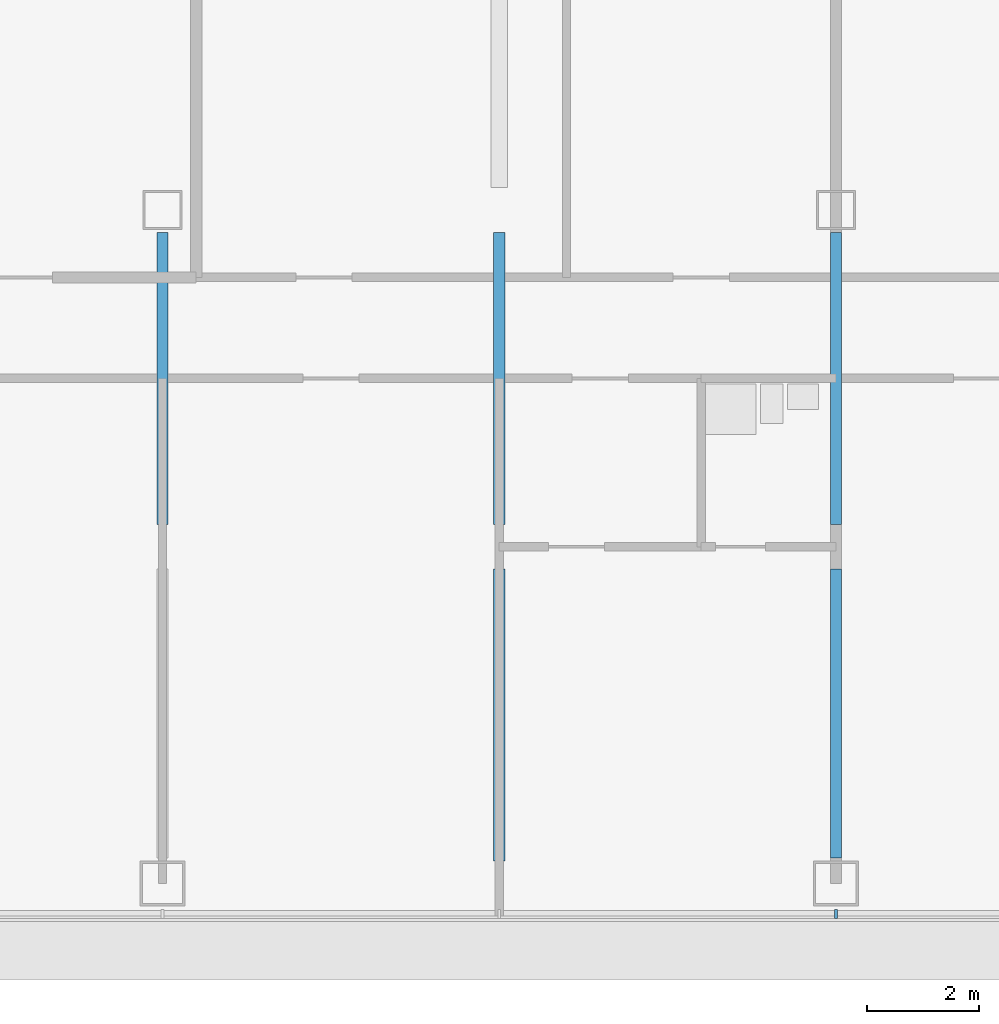
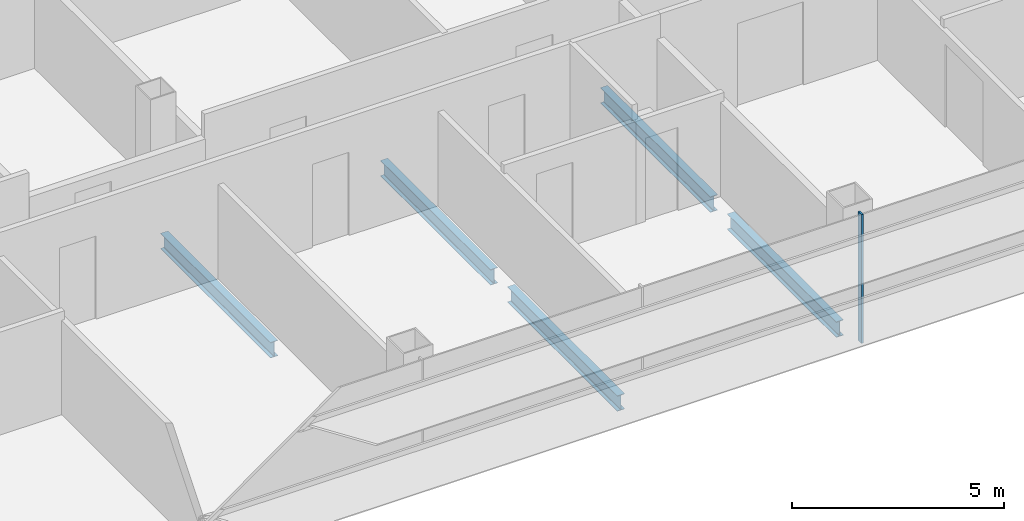
# One storey, part 3 of 28: 5 beams, 1 member, 1 element without a shape of its own.
"""IFC4 building model written with IfcOpenShell, lengths in metres."""

from ifc_helpers import new_model, si_unit, direction, frame, origin, origin_2d, place, context, subcontext, project, spatial, rectangle, i_section, extrude, material, material_profile, profile_set, type_object, element, aggregate, save


model = new_model("IFC4")

# Units and contexts
model_context = context("Model", 3, precision=1e-05, world=origin(), true_north=direction((0.0, 1.0)))
body_context = subcontext(model_context, "Body", "Model", "MODEL_VIEW")
ifc_project = project(units=[si_unit("LENGTHUNIT", "METRE"), si_unit("AREAUNIT", "SQUARE_METRE"), si_unit("VOLUMEUNIT", "CUBIC_METRE"), si_unit("PLANEANGLEUNIT", "RADIAN"), si_unit("MASSUNIT", "GRAM", prefix="KILO")], contexts=[model_context])

# Site, building, storey
site_placement = place(None, origin())
site = spatial("IfcSite", under=ifc_project, at=site_placement, CompositionType="ELEMENT")
building_placement = place(site_placement, origin())
building = spatial("IfcBuilding", under=site, at=building_placement, Name="Sorahane Residences", CompositionType="ELEMENT")
storey_placement = place(building_placement, frame((0.0, 0.0, 96.199951171875)))
storey = spatial("IfcBuildingStorey", under=building, at=storey_placement, Name="L20", CompositionType="ELEMENT", Elevation=96.199951171875)

# Curtain wall, member
ifc_material_1 = material(Name="Dark low-e glass and black anodised aluminium", Category="aluminium")
curtain_wall_type = type_object("IfcCurtainWallType", Name="Curtain wall CW-1 Typical unitised wall", PredefinedType="NOTDEFINED", material=ifc_material_1)
curtain_wall_placement = place(storey_placement, origin())
curtain_wall = element("IfcCurtainWall", 1, at=curtain_wall_placement, inside=storey, type_object=curtain_wall_type, Name="CW-1 curtain wall L20 S1", PredefinedType="NOTDEFINED")
ifc_material_2 = material(Name="Black anodised aluminium", Category="aluminium")
ifc_material_profile_1 = material_profile(ifc_material_2, rectangle(XDim=0.159912109375, YDim=0.050048828125, at=origin_2d()), Name="Curtain wall mullion CW-1 black anodised aluminium 50x160")
ifc_profile_set_1 = profile_set([ifc_material_profile_1], Name="Black anodised aluminium")
member_type = type_object("IfcMemberType", Name="Curtain wall mullion CW-1 black anodised aluminium 50x160", PredefinedType="MULLION", material=ifc_profile_set_1)
member_placement = place(storey_placement, frame((24.0, -0.5400390625, -0.300048828125), z_axis=(0.0, 0.0, 1.0), x_axis=(0.0, -1.0, 0.0)))
member = element("IfcMember", 2, at=member_placement, type_object=member_type, Name="CW-1 mullion L20 S1.5", PredefinedType="MULLION", context=body_context, shape_type="SweptSolid", body=[
    extrude(rectangle(XDim=0.159912109375, YDim=0.050048828125, at=origin_2d()), origin(), (0.0, 0.0, 1.0), 3.72021484375),
])
aggregate(curtain_wall, [member])

# Beams
ifc_material_3 = material(Name="Steel Q355B", Category="steel")
ifc_material_profile_2 = material_profile(ifc_material_3, i_section(OverallWidth=0.199951171875, OverallDepth=0.449951171875, WebThickness=0.009033203125, FlangeThickness=0.013916015625, FilletRadius=0.02001953125, at=origin_2d()), Name="HN 450x200x9x14")
ifc_profile_set_2 = profile_set([ifc_material_profile_2], Name="Steel Q355B")
beam_type = type_object("IfcBeamType", Name="Steel floor beam HN 450x200x9x14 Q355B", PredefinedType="BEAM", material=ifc_profile_set_2)
for number, where, z_axis, x_axis, name in (
    (3, (12.0, 6.39990234375, -0.52490234375), (0.0, 1.0, 0.0), (-1.0, 0.0, 0.0), "Beam L20 015"),
    (4, (18.0, 0.39990234375, -0.52490234375), (0.0, 1.0, 0.0), (-1.0, 0.0, 0.0), "Beam L20 017"),
    (5, (18.0, 6.39990234375, -0.52490234375), (0.0, 1.0, 0.0), (-1.0, 0.0, 0.0), "Beam L20 018"),
):
    element("IfcBeam", number, at=place(storey_placement, frame(where, z_axis=z_axis, x_axis=x_axis)), inside=storey, type_object=beam_type, Name=name, PredefinedType="BEAM", context=body_context, shape_type="SweptSolid", body=[
        extrude(i_section(OverallWidth=0.199951171875, OverallDepth=0.449951171875, WebThickness=0.009033203125, FlangeThickness=0.013916015625, FilletRadius=0.02001953125, at=origin_2d()), origin(), (0.0, 0.0, 1.0), 5.2001953125),
    ])
beam_1_placement = place(storey_placement, frame((24.0, 0.449951171875, -0.52490234375), z_axis=(0.0, 1.0, 0.0), x_axis=(-1.0, 0.0, 0.0)))
element("IfcBeam", 6, at=beam_1_placement, inside=storey, type_object=beam_type, Name="Beam L20 024", PredefinedType="BEAM", context=body_context, shape_type="SweptSolid", body=[
    extrude(i_section(OverallWidth=0.199951171875, OverallDepth=0.449951171875, WebThickness=0.009033203125, FlangeThickness=0.013916015625, FilletRadius=0.02001953125, at=origin_2d()), origin(), (0.0, 0.0, 1.0), 5.150146484375),
])
beam_2_placement = place(storey_placement, frame((24.0, 6.39990234375, -0.52490234375), z_axis=(0.0, 1.0, 0.0), x_axis=(-1.0, 0.0, 0.0)))
element("IfcBeam", 7, at=beam_2_placement, inside=storey, type_object=beam_type, Name="Beam L20 025", PredefinedType="BEAM", context=body_context, shape_type="SweptSolid", body=[
    extrude(i_section(OverallWidth=0.199951171875, OverallDepth=0.449951171875, WebThickness=0.009033203125, FlangeThickness=0.013916015625, FilletRadius=0.02001953125, at=origin_2d()), origin(), (0.0, 0.0, 1.0), 5.2001953125),
])

save(model, "model.ifc")
